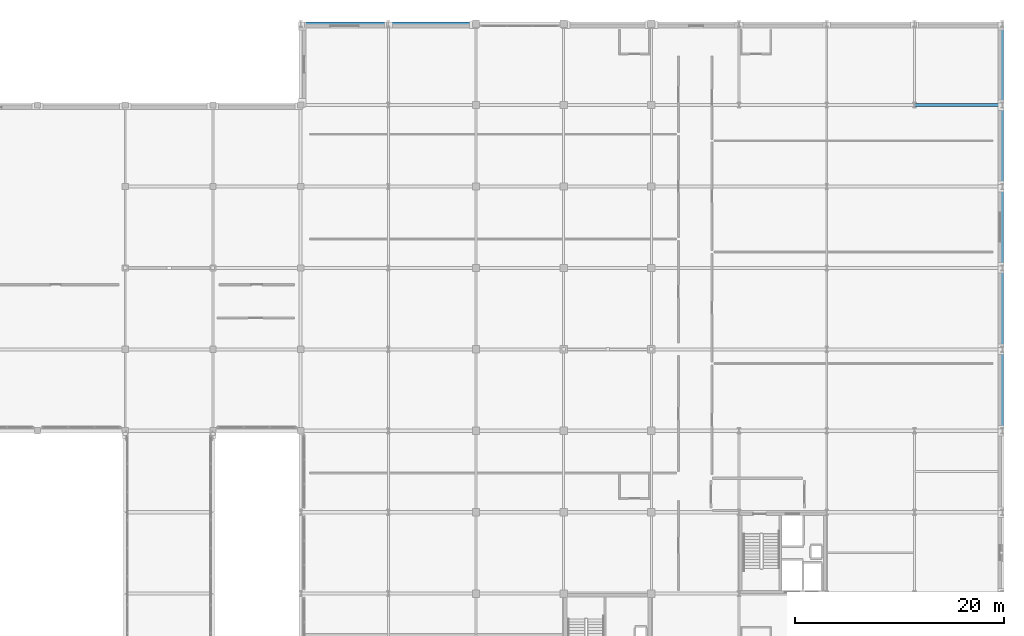
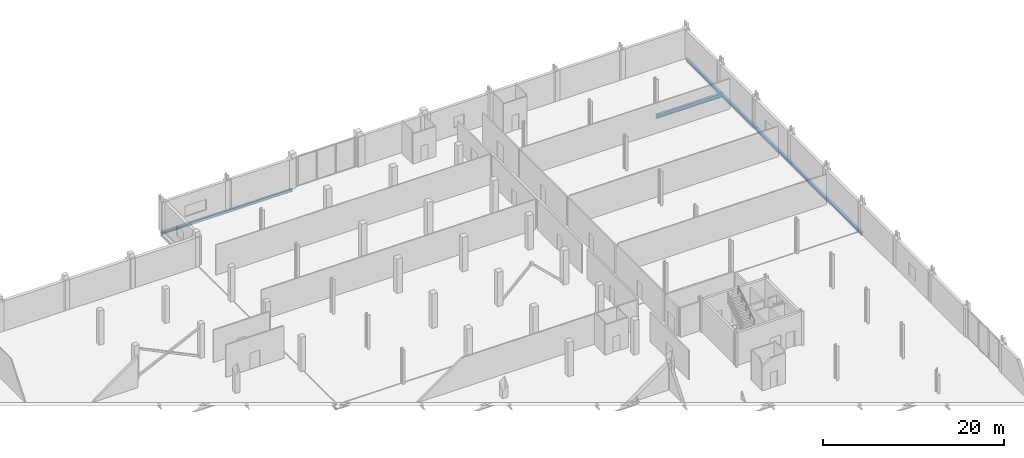
# One storey, part 58 of 98: 8 beams.
"""IFC4 building model written with IfcOpenShell, lengths in metres."""

from ifc_helpers import new_model, si_unit, direction, frame, origin, origin_2d, place, context, subcontext, project, spatial, i_section, extrude, material, material_profile, profile_set, type_object, element, save


model = new_model("IFC4")

# Units and contexts
model_context = context("Model", 3, precision=1e-05, world=origin(), true_north=direction((0.0, 1.0)))
body_context = subcontext(model_context, "Body", "Model", "MODEL_VIEW")
ifc_project = project(units=[si_unit("LENGTHUNIT", "METRE"), si_unit("AREAUNIT", "SQUARE_METRE"), si_unit("VOLUMEUNIT", "CUBIC_METRE"), si_unit("PLANEANGLEUNIT", "RADIAN"), si_unit("MASSUNIT", "GRAM", prefix="KILO")], contexts=[model_context])

# Site, building, storey
site_placement = place(None, origin())
site = spatial("IfcSite", under=ifc_project, at=site_placement, CompositionType="ELEMENT")
building_placement = place(site_placement, origin())
building = spatial("IfcBuilding", under=site, at=building_placement, Name="Nabrawat Pavilion Hospital", CompositionType="ELEMENT")
storey_placement = place(building_placement, frame((0.0, 0.0, 10.199951171875)))
storey = spatial("IfcBuildingStorey", under=building, at=storey_placement, Name="L02", CompositionType="ELEMENT", Elevation=10.199951171875)

# Beams
ifc_material = material(Name="Steel S355", Category="steel")
ifc_material_profile_1 = material_profile(ifc_material, i_section(OverallWidth=0.300048828125, OverallDepth=0.389892578125, WebThickness=0.010986328125, FlangeThickness=0.01904296875, FilletRadius=0.027099609375, at=origin_2d()), Name="HEA 400")
ifc_profile_set_1 = profile_set([ifc_material_profile_1], Name="Steel S355")
beam_type_1 = type_object("IfcBeamType", Name="Perimeter Moment Spandrel Beam HEA 400", PredefinedType="SPANDREL", material=ifc_profile_set_1)
beam_1_placement = place(storey_placement, frame((193.199951171875, 85.820068359375, -0.445068359375), z_axis=(0.0, 1.0, 0.0), x_axis=(-1.0, 0.0, 0.0)))
element("IfcBeam", 1, at=beam_1_placement, inside=storey, type_object=beam_type_1, Name="L02 Primary Y Beam 1400", PredefinedType="SPANDREL", context=body_context, shape_type="SweptSolid", body=[
    extrude(i_section(OverallWidth=0.300048828125, OverallDepth=0.389892578125, WebThickness=0.010986328125, FlangeThickness=0.01904296875, FilletRadius=0.027099609375, at=origin_2d()), origin(), (0.0, 0.0, 1.0), 7.760009765625),
])
beam_2_placement = place(storey_placement, frame((193.199951171875, 93.6201171875, -0.445068359375), z_axis=(0.0, 1.0, 0.0), x_axis=(-1.0, 0.0, 0.0)))
element("IfcBeam", 2, at=beam_2_placement, inside=storey, type_object=beam_type_1, Name="L02 Primary Y Beam 1401", PredefinedType="SPANDREL", context=body_context, shape_type="SweptSolid", body=[
    extrude(i_section(OverallWidth=0.300048828125, OverallDepth=0.389892578125, WebThickness=0.010986328125, FlangeThickness=0.01904296875, FilletRadius=0.027099609375, at=origin_2d()), origin(), (0.0, 0.0, 1.0), 7.759765625),
])
for number, where, z_axis, x_axis, name in (
    (3, (193.199951171875, 101.419921875, -0.445068359375), (0.0, 1.0, 0.0), (-1.0, 0.0, 0.0), "L02 Primary Y Beam 1402"),
    (4, (193.199951171875, 109.219970703125, -0.445068359375), (0.0, 1.0, 0.0), (-1.0, 0.0, 0.0), "L02 Primary Y Beam 1403"),
    (5, (193.199951171875, 117.02001953125, -0.445068359375), (0.0, 1.0, 0.0), (-1.0, 0.0, 0.0), "L02 Primary Y Beam 1404"),
):
    element("IfcBeam", number, at=place(storey_placement, frame(where, z_axis=z_axis, x_axis=x_axis)), inside=storey, type_object=beam_type_1, Name=name, PredefinedType="SPANDREL", context=body_context, shape_type="SweptSolid", body=[
        extrude(i_section(OverallWidth=0.300048828125, OverallDepth=0.389892578125, WebThickness=0.010986328125, FlangeThickness=0.01904296875, FilletRadius=0.027099609375, at=origin_2d()), origin(), (0.0, 0.0, 1.0), 7.760009765625),
    ])
ifc_material_profile_2 = material_profile(ifc_material, i_section(OverallWidth=0.300048828125, OverallDepth=0.5, WebThickness=0.014404296875, FlangeThickness=0.028076171875, FilletRadius=0.027099609375, at=origin_2d()), Name="HEB 500")
ifc_profile_set_2 = profile_set([ifc_material_profile_2], Name="Steel S355")
beam_type_2 = type_object("IfcBeamType", Name="Primary Floor Girder HEB 500", PredefinedType="USERDEFINED", material=ifc_profile_set_2)
beam_3_placement = place(storey_placement, frame((184.820068359375, 117.0, -0.5), z_axis=(1.0, 0.0, 0.0), x_axis=(0.0, 1.0, 0.0)))
element("IfcBeam", 6, at=beam_3_placement, inside=storey, type_object=beam_type_2, Name="L02 Primary X Girder 1163", ObjectType="GIRDER", PredefinedType="USERDEFINED", context=body_context, shape_type="SweptSolid", body=[
    extrude(i_section(OverallWidth=0.300048828125, OverallDepth=0.5, WebThickness=0.014404296875, FlangeThickness=0.028076171875, FilletRadius=0.027099609375, at=origin_2d()), origin(), (0.0, 0.0, 1.0), 8.35986328125),
])
ifc_material_profile_3 = material_profile(ifc_material, i_section(OverallWidth=0.300048828125, OverallDepth=0.340087890625, WebThickness=0.011962890625, FlangeThickness=0.021484375, FilletRadius=0.027099609375, at=origin_2d()), Name="HEB 340")
ifc_profile_set_3 = profile_set([ifc_material_profile_3], Name="Steel S355")
beam_type_3 = type_object("IfcBeamType", Name="Ward Perimeter Spandrel Beam HEB 340", PredefinedType="SPANDREL", material=ifc_profile_set_3)
beam_4_placement = place(storey_placement, frame((126.02001953125, 124.800048828125, -0.419921875), z_axis=(1.0, 0.0, 0.0), x_axis=(0.0, 1.0, 0.0)))
element("IfcBeam", 7, at=beam_4_placement, inside=storey, type_object=beam_type_3, Name="L02 Primary X Girder 1164", PredefinedType="SPANDREL", context=body_context, shape_type="SweptSolid", body=[
    extrude(i_section(OverallWidth=0.300048828125, OverallDepth=0.340087890625, WebThickness=0.011962890625, FlangeThickness=0.021484375, FilletRadius=0.027099609375, at=origin_2d()), origin(), (0.0, 0.0, 1.0), 8.35986328125),
])
beam_5_placement = place(storey_placement, frame((134.419921875, 124.800048828125, -0.419921875), z_axis=(1.0, 0.0, 0.0), x_axis=(0.0, 1.0, 0.0)))
element("IfcBeam", 8, at=beam_5_placement, inside=storey, type_object=beam_type_3, Name="L02 Primary X Girder 1165", PredefinedType="SPANDREL", context=body_context, shape_type="SweptSolid", body=[
    extrude(i_section(OverallWidth=0.300048828125, OverallDepth=0.340087890625, WebThickness=0.011962890625, FlangeThickness=0.021484375, FilletRadius=0.027099609375, at=origin_2d()), origin(), (0.0, 0.0, 1.0), 8.360107421875),
])

save(model, "model.ifc")
